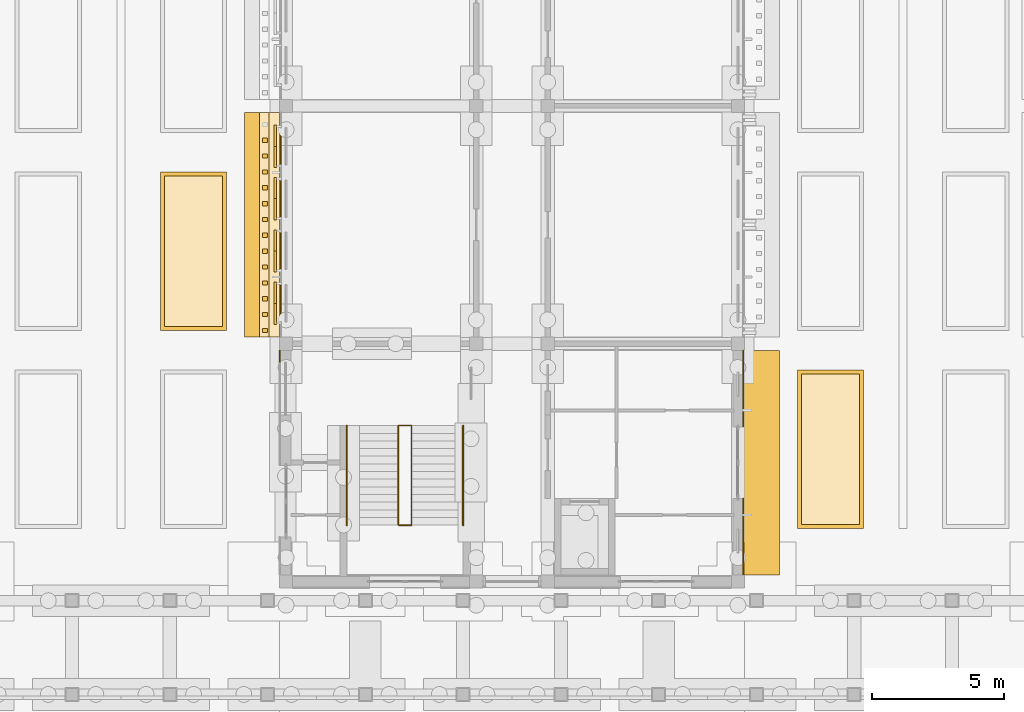
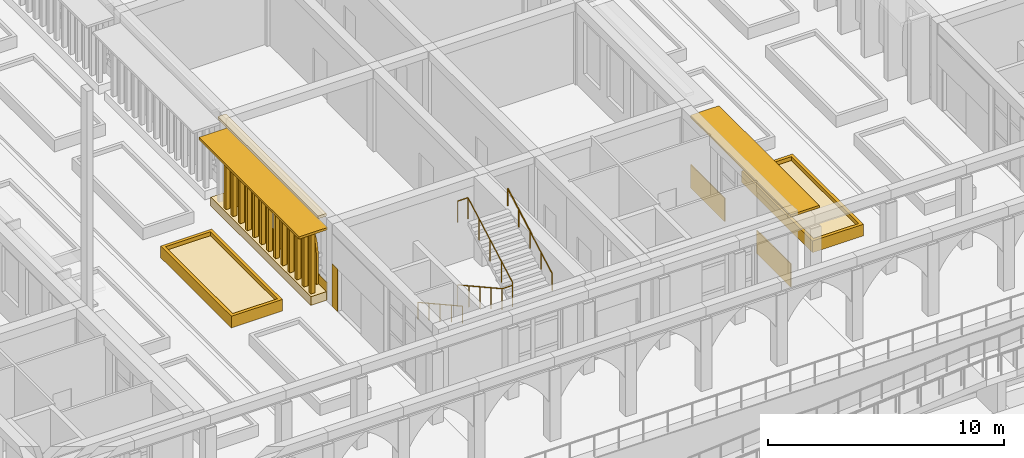
# One storey, part 123 of 161: 23 coverings, 6 shading devices, 3 railings.
"""IFC4 building model written with IfcOpenShell, lengths in metres."""

from ifc_helpers import new_model, si_unit, direction, frame, origin, origin_2d, place, context, subcontext, project, spatial, polyline, rectangle, circle, outline, extrude, material, layer, layer_set, type_object, element, save


model = new_model("IFC4")

# Units and contexts
model_context = context("Model", 3, precision=1e-05, world=origin(), true_north=direction((0.0, 1.0)))
body_context = subcontext(model_context, "Body", "Model", "MODEL_VIEW")
ifc_project = project(units=[si_unit("LENGTHUNIT", "METRE"), si_unit("AREAUNIT", "SQUARE_METRE"), si_unit("VOLUMEUNIT", "CUBIC_METRE"), si_unit("PLANEANGLEUNIT", "RADIAN"), si_unit("MASSUNIT", "GRAM", prefix="KILO")], contexts=[model_context])

# Site, building, storey
site_placement = place(None, origin())
site = spatial("IfcSite", under=ifc_project, at=site_placement, CompositionType="ELEMENT")
building_placement = place(site_placement, origin())
building = spatial("IfcBuilding", under=site, at=building_placement, Name="Elbe Cascade School", CompositionType="ELEMENT")
storey_placement = place(building_placement, origin())
storey = spatial("IfcBuildingStorey", under=building, at=storey_placement, Name="L00", CompositionType="ELEMENT", Elevation=0.0)

# Railings
ifc_material_1 = material(Name="Steel S355J2H, painted", Category="steel")
railing_type_1 = type_object("IfcRailingType", Name="Bar stair guard 1100", PredefinedType="GUARDRAIL", material=ifc_material_1)
railing_1_placement = place(storey_placement, frame((132.449951171875, 11.89990234375, 0.16064453125)))
element("IfcRailing", 1, at=railing_1_placement, inside=storey, type_object=railing_type_1, Name="Stair guard C0.S", PredefinedType="GUARDRAIL", context=body_context, shape_type="SweptSolid", body=[
    extrude(circle(Radius=0.02392578125, at=origin_2d()), frame((0.0, 0.0, 1.09619140625), z_axis=(0.0, -0.874659101714, 0.484738543742), x_axis=(1.0, 0.0, 0.0)), (0.0, 0.0, 1.0), 4.310302734375),
    extrude(circle(Radius=0.02392578125, at=origin_2d()), frame((0.0, -3.77001953125, 3.185546875), z_axis=(1.0, 0.0, 0.0), x_axis=(0.0, 1.0, 0.0)), (0.0, 0.0, 1.0), 0.5),
    extrude(circle(Radius=0.02392578125, at=origin_2d()), frame((0.5, -3.77001953125, 3.185546875), z_axis=(0.0, 0.0, 1.0), x_axis=(1.0, 0.0, 0.0)), (0.0, 0.0, 1.0), 0.16064453125),
    extrude(circle(Radius=0.02392578125, at=origin_2d()), frame((0.5, -3.77001953125, 3.34619140625), z_axis=(0.0, 0.874659101714, 0.484738543742), x_axis=(-1.0, 0.0, 0.0)), (0.0, 0.0, 1.0), 4.310302734375),
    extrude(circle(Radius=0.02392578125, at=origin_2d()), frame((0.5, 0.0, 5.435546875), z_axis=(-1.0, 0.0, 0.0), x_axis=(0.0, -1.0, 0.0)), (0.0, 0.0, 1.0), 0.5),
    extrude(circle(Radius=0.02099609375, at=origin_2d()), origin(), (0.0, 0.0, 1.0), 1.072021484375),
    extrude(circle(Radius=0.02099609375, at=origin_2d()), frame((0.0, -0.9423828125, 0.5224609375)), (0.0, 0.0, 1.0), 1.072021484375),
    extrude(circle(Radius=0.02099609375, at=origin_2d()), frame((0.0, -1.885009765625, 1.044677734375)), (0.0, 0.0, 1.0), 1.072021484375),
    extrude(circle(Radius=0.02099609375, at=origin_2d()), frame((0.0, -2.82763671875, 1.56689453125)), (0.0, 0.0, 1.0), 1.072021484375),
    extrude(circle(Radius=0.02099609375, at=origin_2d()), frame((0.0, -3.77001953125, 2.08935546875)), (0.0, 0.0, 1.0), 1.072021484375),
    extrude(circle(Radius=0.02099609375, at=origin_2d()), frame((0.5, -3.77001953125, 2.08935546875)), (0.0, 0.0, 1.0), 1.072021484375),
    extrude(circle(Radius=0.02099609375, at=origin_2d()), frame((0.5, -3.77001953125, 2.25)), (0.0, 0.0, 1.0), 1.072021484375),
    extrude(circle(Radius=0.02099609375, at=origin_2d()), frame((0.5, -2.82763671875, 2.7724609375)), (0.0, 0.0, 1.0), 1.072021484375),
    extrude(circle(Radius=0.02099609375, at=origin_2d()), frame((0.5, -1.885009765625, 3.294677734375)), (0.0, 0.0, 1.0), 1.072021484375),
    extrude(circle(Radius=0.02099609375, at=origin_2d()), frame((0.5, -0.9423828125, 3.81689453125)), (0.0, 0.0, 1.0), 1.072021484375),
    extrude(circle(Radius=0.02099609375, at=origin_2d()), frame((0.5, 0.0, 4.33935546875)), (0.0, 0.0, 1.0), 1.072021484375),
    extrude(circle(Radius=0.02099609375, at=origin_2d()), frame((0.0, 0.0, 4.33935546875)), (0.0, 0.0, 1.0), 1.072021484375),
])
ifc_material_2 = material(Name="Steel S355J2H, painted", Category="steel")
railing_type_2 = type_object("IfcRailingType", Name="Bar stair handrail 900", PredefinedType="HANDRAIL", material=ifc_material_2)
railing_2_placement = place(storey_placement, frame((130.5, 11.89990234375, 0.16064453125)))
element("IfcRailing", 2, at=railing_2_placement, inside=storey, type_object=railing_type_2, Name="Stair handrail C0.S", PredefinedType="HANDRAIL", context=body_context, shape_type="SweptSolid", body=[
    extrude(circle(Radius=0.02392578125, at=origin_2d()), frame((0.0, 0.0, 0.8759765625), z_axis=(0.0, -0.874659101714, 0.484738543742), x_axis=(1.0, 0.0, 0.0)), (0.0, 0.0, 1.0), 4.310302734375),
    extrude(circle(Radius=0.02099609375, at=origin_2d()), origin(), (0.0, 0.0, 1.0), 0.851806640625),
    extrude(circle(Radius=0.02099609375, at=origin_2d()), frame((0.0, -0.9423828125, 0.5224609375)), (0.0, 0.0, 1.0), 0.851806640625),
    extrude(circle(Radius=0.02099609375, at=origin_2d()), frame((0.0, -1.885009765625, 1.044677734375)), (0.0, 0.0, 1.0), 0.851806640625),
    extrude(circle(Radius=0.02099609375, at=origin_2d()), frame((0.0, -2.82763671875, 1.56689453125)), (0.0, 0.0, 1.0), 0.851806640625),
    extrude(circle(Radius=0.02099609375, at=origin_2d()), frame((0.0, -3.77001953125, 2.08935546875)), (0.0, 0.0, 1.0), 0.851806640625),
])
railing_3_placement = place(storey_placement, frame((134.89990234375, 8.1298828125, 2.41064453125)))
element("IfcRailing", 3, at=railing_3_placement, inside=storey, type_object=railing_type_2, Name="Stair handrail C0.S", PredefinedType="HANDRAIL", context=body_context, shape_type="SweptSolid", body=[
    extrude(circle(Radius=0.02392578125, at=origin_2d()), frame((0.0, 0.0, 0.8759765625), z_axis=(0.0, 0.874659101714, 0.484738543742), x_axis=(-1.0, 0.0, 0.0)), (0.0, 0.0, 1.0), 4.310302734375),
    extrude(circle(Radius=0.02099609375, at=origin_2d()), origin(), (0.0, 0.0, 1.0), 0.851806640625),
    extrude(circle(Radius=0.02099609375, at=origin_2d()), frame((0.0, 0.9423828125, 0.5224609375)), (0.0, 0.0, 1.0), 0.851806640625),
    extrude(circle(Radius=0.02099609375, at=origin_2d()), frame((0.0, 1.885009765625, 1.044677734375)), (0.0, 0.0, 1.0), 0.851806640625),
    extrude(circle(Radius=0.02099609375, at=origin_2d()), frame((0.0, 2.82763671875, 1.56689453125)), (0.0, 0.0, 1.0), 0.851806640625),
    extrude(circle(Radius=0.02099609375, at=origin_2d()), frame((0.0, 3.77001953125, 2.08935546875)), (0.0, 0.0, 1.0), 0.851806640625),
])

# Shading devices
ifc_material_3 = material(Name="Precast concrete C30/37", Category="concrete")
ifc_layer_1 = layer(ifc_material_3, 0.1201171875)
ifc_layer_set_1 = layer_set([ifc_layer_1], Name="Precast concrete C30/37")
shading_device_type_1 = type_object("IfcShadingDeviceType", Name="Bars envelope Chhajja eave, precast concrete, 1400 x 120", PredefinedType="USERDEFINED", material=ifc_layer_set_1)
for number, where, z_axis, x_axis, name in (
    (4, (127.320068359375, 19.5, 3.6298828125), (0.0, 0.0, 1.0), (0.0, 1.0, 0.0), "Chhajja eave SD8 C.L00.w2"),
    (5, (146.179931640625, 10.5, 3.6298828125), (0.0, 0.0, 1.0), (0.0, 1.0, 0.0), "Chhajja eave SD8 C.L00.e1"),
):
    element("IfcShadingDevice", number, at=place(storey_placement, frame(where, z_axis=z_axis, x_axis=x_axis)), inside=storey, type_object=shading_device_type_1, Name=name, ObjectType="CHHAJJA", PredefinedType="USERDEFINED", context=body_context, shape_type="SweptSolid", body=[
        extrude(rectangle(XDim=8.5, YDim=1.39990234375, at=origin_2d()), origin(), (0.0, 0.0, 1.0), 0.1201171875),
    ])
ifc_material_4 = material(Name="Precast concrete C40/50", Category="concrete")
ifc_layer_2 = layer(ifc_material_4, 0.10009765625)
ifc_layer_set_2 = layer_set([ifc_layer_2], Name="Precast concrete C40/50")
shading_device_type_2 = type_object("IfcShadingDeviceType", Name="Bars envelope Jali screen 1600 x 2840, pointed arch rise 1200, pierced precast concrete", PredefinedType="USERDEFINED", material=ifc_layer_set_2)
shading_device_1_placement = place(storey_placement, frame((127.739990234375, 15.72998046875, 2.239990234375), z_axis=(-1.0, 0.0, 0.0), x_axis=(0.0, 0.196300278283, 0.98054382908)))
element("IfcShadingDevice", 6, at=shading_device_1_placement, inside=storey, type_object=shading_device_type_2, Name="Jali screen SD3 C.L00.w2.1", ObjectType="JALI", PredefinedType="USERDEFINED", context=body_context, shape_type="SweptSolid", body=[
    extrude(outline(polyline([(0.0, 0.0), (0.509921112317134, 0.0), (0.7186409460062186, 0.06005009918221829), (0.8735458233318658, 0.1311226852889124), (0.9982395622926888, 0.20799441476340969), (1.102872417131342, 0.2891312241218946), (1.1919448840573539, 0.37338315020117196), (1.268281725197354, 0.45993570394643946), (1.3336545243794973, 0.5489321924158467), (1.3075321958793382, 0.6559965916457164), (1.270445825421322, 0.7655049255997259), (1.220671754049922, 0.877553277802997), (1.155289369893253, 0.9924773561437888), (1.069846101614414, 1.1116665143685687), (0.9541916949707512, 1.2366548159611515), (0.7847223319636507, 1.37266560447821), (0.31409961520112845, 1.5689658827607584), (-1.2938869326328684, 1.8908772522001815), (-1.6079865478339967, 0.32191136943942317), (0.0, 0.0)])), origin(), (0.0, 0.0, -1.0), 0.10009765625),
])
for number, where, z_axis, x_axis, name in (
    (7, (127.739990234375, 17.7099609375, 2.239990234375), (-1.0, 0.0, 0.0), (0.0, 0.196300278283, 0.98054382908), "Jali screen SD3 C.L00.w2.2"),
    (8, (127.739990234375, 19.68994140625, 2.239990234375), (-1.0, 0.0, 0.0), (0.0, 0.196300278283, 0.98054382908), "Jali screen SD3 C.L00.w2.3"),
):
    element("IfcShadingDevice", number, at=place(storey_placement, frame(where, z_axis=z_axis, x_axis=x_axis)), inside=storey, type_object=shading_device_type_2, Name=name, ObjectType="JALI", PredefinedType="USERDEFINED", context=body_context, shape_type="SweptSolid", body=[
        extrude(outline(polyline([(0.0, 0.0), (0.509921112317134, 0.0), (0.7186409460062186, 0.06005009918221829), (0.8735458233318658, 0.1311226852889124), (0.9982874871653163, 0.20823380534668107), (1.102872417131342, 0.2891312241218946), (1.1919448840573539, 0.37338315020117196), (1.268281725197354, 0.45993570394643946), (1.3336545243794973, 0.5489321924158467), (1.3075801207519657, 0.6562359822289878), (1.270445825421322, 0.7655049255997259), (1.220671754049922, 0.877553277802997), (1.155289369893253, 0.9924773561437888), (1.069846101614414, 1.1116665143685687), (0.9542396198433787, 1.2368942065444228), (0.7847223319636507, 1.37266560447821), (0.31409961520112845, 1.5689658827607584), (-1.2938869326328684, 1.8908772522001815), (-1.6079865478339967, 0.32191136943942317), (0.0, 0.0)])), origin(), (0.0, 0.0, -1.0), 0.10009765625),
    ])
shading_device_2_placement = place(storey_placement, frame((127.739990234375, 21.669921875, 2.239990234375), z_axis=(-1.0, 0.0, 0.0), x_axis=(0.0, 0.196300278283, 0.98054382908)))
element("IfcShadingDevice", 9, at=shading_device_2_placement, inside=storey, type_object=shading_device_type_2, Name="Jali screen SD3 C.L00.w2.4", ObjectType="JALI", PredefinedType="USERDEFINED", context=body_context, shape_type="SweptSolid", body=[
    extrude(outline(polyline([(0.0, 0.0), (0.509921112317134, 0.0), (0.7186888708788461, 0.0602894897654897), (0.8735458233318658, 0.1311226852889124), (0.9982874871653163, 0.20823380534668107), (1.102872417131342, 0.2891312241218946), (1.1919448840573539, 0.37338315020117196), (1.2683296500699814, 0.46017509452971084), (1.3336545243794973, 0.5489321924158467), (1.3075801207519657, 0.6562359822289878), (1.270445825421322, 0.7655049255997259), (1.220671754049922, 0.877553277802997), (1.1553372947658807, 0.9927167467270602), (1.069846101614414, 1.1116665143685687), (0.9542396198433787, 1.2368942065444228), (0.7847223319636507, 1.37266560447821), (0.31409961520112845, 1.5689658827607584), (-1.2938869326328684, 1.8908772522001815), (-1.6079865478339967, 0.32191136943942317), (0.0, 0.0)])), origin(), (0.0, 0.0, -1.0), 0.10009765625),
])

# Coverings
ifc_material_5 = material(Name="Sandstone - red", Category="masonry")
ifc_layer_3 = layer(ifc_material_5, 0.0400390625)
ifc_layer_set_3 = layer_set([ifc_layer_3], Name="Sandstone - red")
covering_type_1 = type_object("IfcCoveringType", Name="Bars envelope Sandstone cladding, red, 40 mm", PredefinedType="CLADDING", material=ifc_layer_set_3)
covering_1_placement = place(storey_placement, frame((127.9599609375, 14.52490234375, 0.0), z_axis=(0.0, 0.0, 1.0), x_axis=(0.0, 1.0, 0.0)))
element("IfcCovering", 10, at=covering_1_placement, inside=storey, type_object=covering_type_1, Name="Sandstone cladding CV48 C.L00.w.1b.2", PredefinedType="CLADDING", context=body_context, shape_type="SweptSolid", body=[
    extrude(rectangle(XDim=0.449951171875, YDim=0.0400390625, at=origin_2d()), origin(), (0.0, 0.0, 1.0), 2.199951171875),
])
covering_2_placement = place(storey_placement, frame((128.0, 19.5, 0.0), z_axis=(0.0, 0.0, 1.0), x_axis=(0.0, 1.0, 0.0)))
element("IfcCovering", 11, at=covering_2_placement, inside=storey, type_object=covering_type_1, Name="Sandstone cladding CV48 C.L00.w.2.1", PredefinedType="CLADDING", context=body_context, shape_type="SweptSolid", body=[
    extrude(rectangle(XDim=8.5, YDim=0.0400390625, at=origin_2d()), origin(), (0.0, 0.0, 1.0), 0.89990234375),
])
for number, where, z_axis, x_axis, name in (
    (12, (145.5, 7.699951171875, 0.0), (0.0, 0.0, 1.0), (0.0, 1.0, 0.0), "Sandstone cladding CV48 C.L00.e.1a.1"),
    (13, (145.5, 13.300048828125, 0.0), (0.0, 0.0, 1.0), (0.0, 1.0, 0.0), "Sandstone cladding CV48 C.L00.e.1b.1"),
):
    element("IfcCovering", number, at=place(storey_placement, frame(where, z_axis=z_axis, x_axis=x_axis)), inside=storey, type_object=covering_type_1, Name=name, PredefinedType="CLADDING", context=body_context, shape_type="SweptSolid", body=[
        extrude(rectangle(XDim=2.89990234375, YDim=0.0400390625, at=origin_2d()), origin(), (0.0, 0.0, 1.0), 1.199951171875),
    ])
ifc_material_6 = material(Name="Sandstone - red", Category="masonry")
covering_type_2 = type_object("IfcCoveringType", Name="Bars envelope Sandstone floor ledge, 400 deep", PredefinedType="CLADDING", material=ifc_material_6)
covering_3_placement = place(storey_placement, frame((127.75, 19.5, 4.35986328125), z_axis=(0.0, 0.0, 1.0), x_axis=(0.0, 1.0, 0.0)))
element("IfcCovering", 14, at=covering_3_placement, inside=storey, type_object=covering_type_2, Name="Floor ledge CV64 C.L00.w1.1", PredefinedType="CLADDING", context=body_context, shape_type="SweptSolid", body=[
    extrude(rectangle(XDim=8.5, YDim=0.39990234375, at=origin_2d()), origin(), (0.0, 0.0, 1.0), 0.139892578125),
])
ifc_material_7 = material(Name="Sandstone - red", Category="masonry")
covering_type_3 = type_object("IfcCoveringType", Name="Bars envelope Sandstone planter kerb, 750 deep", PredefinedType="CLADDING", material=ifc_material_7)
covering_4_placement = place(storey_placement, frame((127.574951171875, 19.5, 0.0), z_axis=(0.0, 0.0, 1.0), x_axis=(0.0, 1.0, 0.0)))
element("IfcCovering", 15, at=covering_4_placement, inside=storey, type_object=covering_type_3, Name="Planter kerb CV65 C.L00.w1.1", PredefinedType="CLADDING", context=body_context, shape_type="SweptSolid", body=[
    extrude(rectangle(XDim=8.5, YDim=0.75, at=origin_2d()), origin(), (0.0, 0.0, 1.0), 0.449951171875),
])
ifc_material_8 = material(Name="Sandstone - red", Category="masonry")
covering_type_4 = type_object("IfcCoveringType", Name="Bars envelope Sandstone slat, 160 wide, 200 deep", PredefinedType="CLADDING", material=ifc_material_8)
for number, where, z_axis, x_axis, name in (
    (16, (127.39990234375, 15.5, 0.4501953125), (0.0, 0.0, 1.0), (0.0, 1.0, 0.0), "Slat CV66 C.L00.w1.1.1"),
    (17, (127.39990234375, 16.10009765625, 0.4501953125), (0.0, 0.0, 1.0), (0.0, 1.0, 0.0), "Slat CV66 C.L00.w1.1.2"),
    (18, (127.39990234375, 16.699951171875, 0.4501953125), (0.0, 0.0, 1.0), (0.0, 1.0, 0.0), "Slat CV66 C.L00.w1.1.3"),
    (19, (127.39990234375, 17.300048828125, 0.4501953125), (0.0, 0.0, 1.0), (0.0, 1.0, 0.0), "Slat CV66 C.L00.w1.1.4"),
    (20, (127.39990234375, 17.89990234375, 0.4501953125), (0.0, 0.0, 1.0), (0.0, 1.0, 0.0), "Slat CV66 C.L00.w1.1.5"),
    (21, (127.39990234375, 18.5, 0.4501953125), (0.0, 0.0, 1.0), (0.0, 1.0, 0.0), "Slat CV66 C.L00.w1.1.6"),
    (22, (127.39990234375, 19.10009765625, 0.4501953125), (0.0, 0.0, 1.0), (0.0, 1.0, 0.0), "Slat CV66 C.L00.w1.1.7"),
    (23, (127.39990234375, 19.699951171875, 0.4501953125), (0.0, 0.0, 1.0), (0.0, 1.0, 0.0), "Slat CV66 C.L00.w1.1.8"),
    (24, (127.39990234375, 20.300048828125, 0.4501953125), (0.0, 0.0, 1.0), (0.0, 1.0, 0.0), "Slat CV66 C.L00.w1.1.9"),
    (25, (127.39990234375, 20.89990234375, 0.4501953125), (0.0, 0.0, 1.0), (0.0, 1.0, 0.0), "Slat CV66 C.L00.w1.1.10"),
    (26, (127.39990234375, 21.5, 0.4501953125), (0.0, 0.0, 1.0), (0.0, 1.0, 0.0), "Slat CV66 C.L00.w1.1.11"),
    (27, (127.39990234375, 22.10009765625, 0.4501953125), (0.0, 0.0, 1.0), (0.0, 1.0, 0.0), "Slat CV66 C.L00.w1.1.12"),
    (28, (127.39990234375, 22.699951171875, 0.4501953125), (0.0, 0.0, 1.0), (0.0, 1.0, 0.0), "Slat CV66 C.L00.w1.1.13"),
):
    element("IfcCovering", number, at=place(storey_placement, frame(where, z_axis=z_axis, x_axis=x_axis)), inside=storey, type_object=covering_type_4, Name=name, PredefinedType="CLADDING", context=body_context, shape_type="SweptSolid", body=[
        extrude(rectangle(XDim=0.159912109375, YDim=0.199951171875, at=origin_2d()), origin(), (0.0, 0.0, 1.0), 3.179931640625),
    ])
ifc_material_9 = material(Name="Planting - soil and shrubs", Category="soil")
ifc_layer_4 = layer(ifc_material_9, 0.39990234375)
ifc_layer_set_4 = layer_set([ifc_layer_4], Name="Planting - soil and shrubs")
covering_type_5 = type_object("IfcCoveringType", Name="Site planting bed 400", PredefinedType="USERDEFINED", material=ifc_layer_set_4)
covering_5_placement = place(storey_placement, origin())
element("IfcCovering", 29, at=covering_5_placement, inside=storey, type_object=covering_type_5, Name="Court B-C planting bed east 2", ObjectType="PLANTING BED", PredefinedType="USERDEFINED", context=body_context, shape_type="SweptSolid", body=[
    extrude(outline(polyline([(123.60009765625, 15.64990234375), (125.800048828125, 15.64990234375), (125.800048828125, 21.35009765625), (123.60009765625, 21.35009765625), (123.60009765625, 15.64990234375)])), origin(), (0.0, 0.0, 1.0), 0.39990234375),
])
covering_6_placement = place(storey_placement, origin())
element("IfcCovering", 30, at=covering_6_placement, inside=storey, type_object=covering_type_5, Name="Court C-D planting bed west 1", ObjectType="PLANTING BED", PredefinedType="USERDEFINED", context=body_context, shape_type="SweptSolid", body=[
    extrude(outline(polyline([(147.699951171875, 8.14990234375), (149.89990234375, 8.14990234375), (149.89990234375, 13.85009765625), (147.699951171875, 13.85009765625), (147.699951171875, 8.14990234375)])), origin(), (0.0, 0.0, 1.0), 0.39990234375),
])
ifc_material_10 = material(Name="Concrete C30/37 precast kerb", Category="concrete")
ifc_layer_5 = layer(ifc_material_10, 0.14990234375)
ifc_layer_set_5 = layer_set([ifc_layer_5], Name="Concrete C30/37 precast kerb")
covering_type_6 = type_object("IfcCoveringType", Name="Site planting bed kerb 150x600", PredefinedType="CLADDING", material=ifc_layer_set_5)
covering_7_placement = place(storey_placement, origin())
element("IfcCovering", 31, at=covering_7_placement, inside=storey, type_object=covering_type_6, Name="Court B-C planting bed kerb east 2", PredefinedType="CLADDING", context=body_context, shape_type="SweptSolid", body=[
    extrude(outline(polyline([(123.449951171875, 15.5), (125.949951171875, 15.5), (125.949951171875, 21.5), (123.449951171875, 21.5), (123.449951171875, 15.5)]), holes=[polyline([(123.60009765625, 15.64990234375), (125.800048828125, 15.64990234375), (125.800048828125, 21.35009765625), (123.60009765625, 21.35009765625), (123.60009765625, 15.64990234375)])]), origin(), (0.0, 0.0, 1.0), 0.60009765625),
])
covering_8_placement = place(storey_placement, origin())
element("IfcCovering", 32, at=covering_8_placement, inside=storey, type_object=covering_type_6, Name="Court C-D planting bed kerb west 1", PredefinedType="CLADDING", context=body_context, shape_type="SweptSolid", body=[
    extrude(outline(polyline([(147.550048828125, 8.0), (150.050048828125, 8.0), (150.050048828125, 14.0), (147.550048828125, 14.0), (147.550048828125, 8.0)]), holes=[polyline([(147.699951171875, 8.14990234375), (149.89990234375, 8.14990234375), (149.89990234375, 13.85009765625), (147.699951171875, 13.85009765625), (147.699951171875, 8.14990234375)])]), origin(), (0.0, 0.0, 1.0), 0.60009765625),
])

save(model, "model.ifc")
